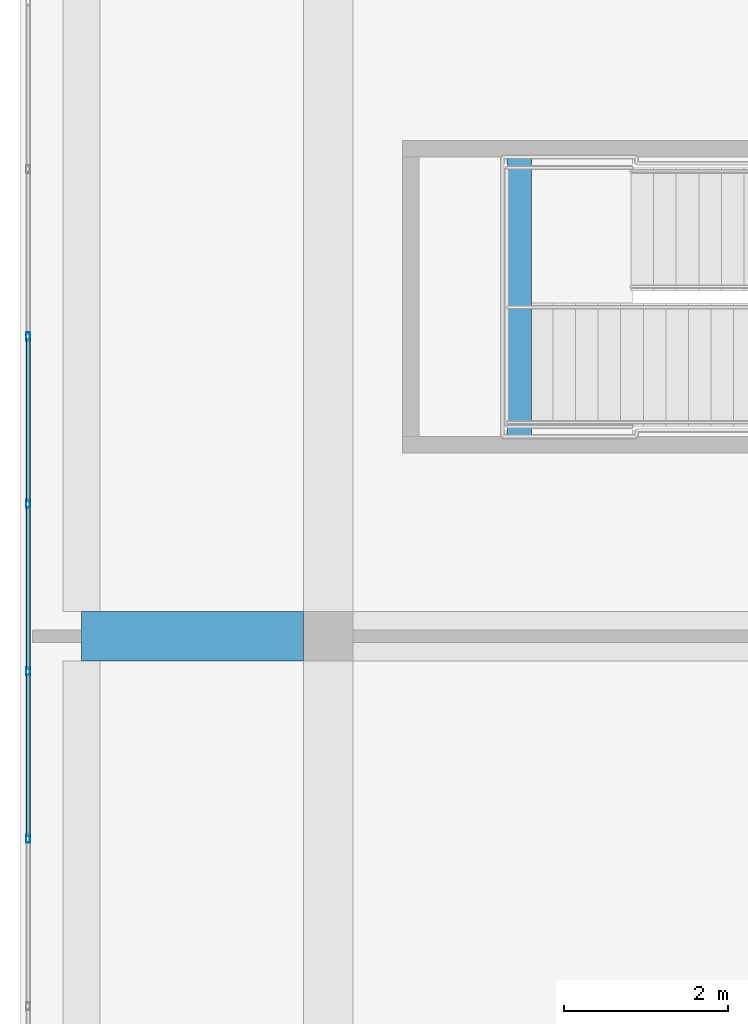
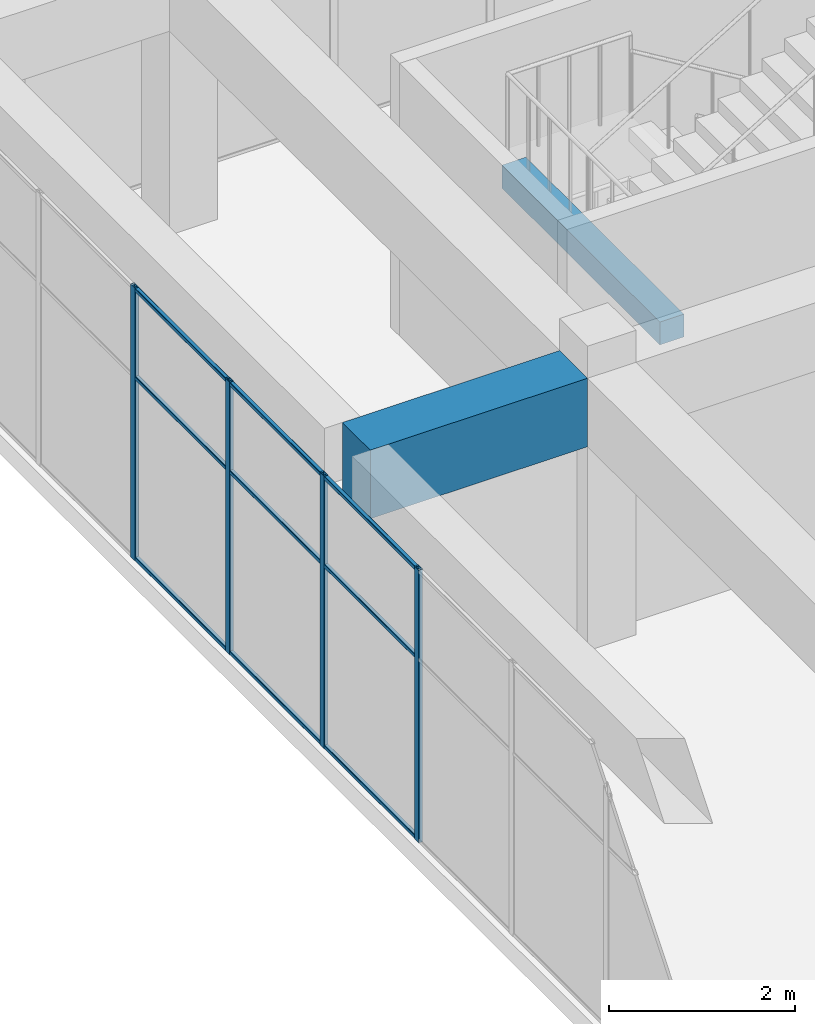
# One storey, part 13 of 35: 13 members, 2 beams, 1 element without a shape of its own.
"""IFC4 building model written with IfcOpenShell, lengths in metres."""

from ifc_helpers import new_model, si_unit, direction, frame, origin, origin_2d, place, context, subcontext, project, spatial, rectangle, hollow_rectangle, extrude, material, layer, layer_set, material_profile, profile_set, type_object, element, aggregate, save


model = new_model("IFC4")

# Units and contexts
model_context = context("Model", 3, precision=1e-05, world=origin(), true_north=direction((0.0, 1.0)))
body_context = subcontext(model_context, "Body", "Model", "MODEL_VIEW")
ifc_project = project(units=[si_unit("LENGTHUNIT", "METRE"), si_unit("AREAUNIT", "SQUARE_METRE"), si_unit("VOLUMEUNIT", "CUBIC_METRE"), si_unit("PLANEANGLEUNIT", "RADIAN"), si_unit("MASSUNIT", "GRAM", prefix="KILO")], contexts=[model_context])

# Site, building, storey
site_placement = place(None, origin())
site = spatial("IfcSite", under=ifc_project, at=site_placement, CompositionType="ELEMENT")
building_placement = place(site_placement, origin())
building = spatial("IfcBuilding", under=site, at=building_placement, Name="Tuart Plaza Theatre", CompositionType="ELEMENT")
storey_placement = place(building_placement, frame((0.0, 0.0, 49.5)))
storey = spatial("IfcBuildingStorey", under=building, at=storey_placement, Name="L12", CompositionType="ELEMENT", Elevation=49.5)

# Beams
ifc_material_1 = material(Name="Concrete N40 (40 MPa)", Category="concrete")
ifc_material_profile_1 = material_profile(ifc_material_1, rectangle(XDim=0.300048828125, YDim=0.300048828125, at=origin_2d()), Name="BEAM 300x300 Concrete N40 (40 MPa)")
ifc_profile_set_1 = profile_set([ifc_material_profile_1], Name="Concrete N40 (40 MPa)")
beam_type_1 = type_object("IfcBeamType", Name="BEAM 300x300 Concrete N40 (40 MPa)", PredefinedType="BEAM", material=ifc_profile_set_1)
beam_1_placement = place(storey_placement, frame((116.320068359375, 88.824951171875, 1.64990234375), z_axis=(0.0, -1.0, 0.0), x_axis=(1.0, 0.0, 0.0)))
element("IfcBeam", 1, at=beam_1_placement, inside=storey, type_object=beam_type_1, Name="RB540", PredefinedType="BEAM", context=body_context, shape_type="SweptSolid", body=[
    extrude(rectangle(XDim=0.300048828125, YDim=0.300048828125, at=origin_2d()), origin(), (0.0, 0.0, 1.0), 3.39990234375),
])
ifc_material_2 = material(Name="Concrete N40 (40 MPa)", Category="concrete")
ifc_material_profile_2 = material_profile(ifc_material_2, rectangle(XDim=0.60009765625, YDim=0.89990234375, at=origin_2d()), Name="BEAM 600x900 Concrete N40 (40 MPa)")
ifc_profile_set_2 = profile_set([ifc_material_profile_2], Name="Concrete N40 (40 MPa)")
beam_type_2 = type_object("IfcBeamType", Name="BEAM 600x900 Concrete N40 (40 MPa)", PredefinedType="BEAM", material=ifc_profile_set_2)
beam_2_placement = place(storey_placement, frame((111.0, 83.0, 3.1298828125), z_axis=(1.0, 0.0, 0.0), x_axis=(0.0, 1.0, 0.0)))
element("IfcBeam", 2, at=beam_2_placement, inside=storey, type_object=beam_type_2, Name="RB287", PredefinedType="BEAM", context=body_context, shape_type="SweptSolid", body=[
    extrude(rectangle(XDim=0.60009765625, YDim=0.89990234375, at=origin_2d()), origin(), (0.0, 0.0, 1.0), 2.699951171875),
])

# Curtain wall, members
ifc_material_3 = material(Name="Aluminium and glass", Category="aluminium")
ifc_layer = layer(ifc_material_3, 0.10009765625)
ifc_layer_set = layer_set([ifc_layer], Name="CURTAIN WALL 2000 module")
curtain_wall_type = type_object("IfcCurtainWallType", Name="CURTAIN WALL 2000 module", PredefinedType="NOTDEFINED", material=ifc_layer_set)
curtain_wall_placement = place(storey_placement, origin())
curtain_wall = element("IfcCurtainWall", 3, at=curtain_wall_placement, inside=storey, type_object=curtain_wall_type, Name="CW106", PredefinedType="NOTDEFINED")
ifc_material_4 = material(Name="Aluminium 6063-T5", Category="aluminium")
ifc_material_profile_3 = material_profile(ifc_material_4, hollow_rectangle(XDim=0.050048828125, YDim=0.10009765625, WallThickness=0.00390625, InnerFilletRadius=0.00390625, OuterFilletRadius=0.008056640625, at=origin_2d()), Name="RHS 100x50x4")
ifc_profile_set_3 = profile_set([ifc_material_profile_3], Name="Aluminium 6063-T5")
member_type_1 = type_object("IfcMemberType", Name="MULLION RHS 100x50x4", PredefinedType="MULLION", material=ifc_profile_set_3)
member_1_placement = place(storey_placement, frame((110.35009765625, 86.642822265625, 0.0), z_axis=(0.0, 0.0, 1.0), x_axis=(1.0, 0.0, 0.0)))
member_1 = element("IfcMember", 4, at=member_1_placement, type_object=member_type_1, Name="CW106 mullion 4", PredefinedType="MULLION", context=body_context, shape_type="SweptSolid", body=[
    extrude(hollow_rectangle(XDim=0.050048828125, YDim=0.10009765625, WallThickness=0.00390625, InnerFilletRadius=0.00390625, OuterFilletRadius=0.008056640625, at=origin_2d()), origin(), (0.0, 0.0, 1.0), 3.580078125),
])
member_2_placement = place(storey_placement, frame((110.35009765625, 84.607177734375, 0.0), z_axis=(0.0, 0.0, 1.0), x_axis=(1.0, 0.0, 0.0)))
member_2 = element("IfcMember", 5, at=member_2_placement, type_object=member_type_1, Name="CW106 mullion 5", PredefinedType="MULLION", context=body_context, shape_type="SweptSolid", body=[
    extrude(hollow_rectangle(XDim=0.050048828125, YDim=0.10009765625, WallThickness=0.00390625, InnerFilletRadius=0.00390625, OuterFilletRadius=0.008056640625, at=origin_2d()), origin(), (0.0, 0.0, 1.0), 3.580078125),
])
member_3_placement = place(storey_placement, frame((110.35009765625, 82.571533203125, 0.0), z_axis=(0.0, 0.0, 1.0), x_axis=(1.0, 0.0, 0.0)))
member_3 = element("IfcMember", 6, at=member_3_placement, type_object=member_type_1, Name="CW106 mullion 6", PredefinedType="MULLION", context=body_context, shape_type="SweptSolid", body=[
    extrude(hollow_rectangle(XDim=0.050048828125, YDim=0.10009765625, WallThickness=0.00390625, InnerFilletRadius=0.00390625, OuterFilletRadius=0.008056640625, at=origin_2d()), origin(), (0.0, 0.0, 1.0), 3.580078125),
])
member_4_placement = place(storey_placement, frame((110.35009765625, 80.53564453125, 0.0), z_axis=(0.0, 0.0, 1.0), x_axis=(1.0, 0.0, 0.0)))
member_4 = element("IfcMember", 7, at=member_4_placement, type_object=member_type_1, Name="CW106 mullion 7", PredefinedType="MULLION", context=body_context, shape_type="SweptSolid", body=[
    extrude(hollow_rectangle(XDim=0.050048828125, YDim=0.10009765625, WallThickness=0.00390625, InnerFilletRadius=0.00390625, OuterFilletRadius=0.008056640625, at=origin_2d()), origin(), (0.0, 0.0, 1.0), 3.580078125),
])
ifc_material_5 = material(Name="Aluminium 6063-T5", Category="aluminium")
ifc_material_profile_4 = material_profile(ifc_material_5, hollow_rectangle(XDim=0.050048828125, YDim=0.050048828125, WallThickness=0.00390625, InnerFilletRadius=0.00390625, OuterFilletRadius=0.008056640625, at=origin_2d()), Name="RHS 50x50x4")
ifc_profile_set_4 = profile_set([ifc_material_profile_4], Name="Aluminium 6063-T5")
member_type_2 = type_object("IfcMemberType", Name="TRANSOM RHS 50x50x4", PredefinedType="USERDEFINED", material=ifc_profile_set_4)
member_5_placement = place(storey_placement, frame((110.35009765625, 86.617919921875, 0.02490234375), z_axis=(0.0, -1.0, 0.0), x_axis=(1.0, 0.0, 0.0)))
member_5 = element("IfcMember", 8, at=member_5_placement, type_object=member_type_2, Name="CW106 transom 4.1", ObjectType="TRANSOM", PredefinedType="USERDEFINED", context=body_context, shape_type="SweptSolid", body=[
    extrude(hollow_rectangle(XDim=0.050048828125, YDim=0.050048828125, WallThickness=0.00390625, InnerFilletRadius=0.00390625, OuterFilletRadius=0.008056640625, at=origin_2d()), origin(), (0.0, 0.0, 1.0), 1.98583984375),
])
member_6_placement = place(storey_placement, frame((110.35009765625, 86.617919921875, 2.39990234375), z_axis=(0.0, -1.0, 0.0), x_axis=(1.0, 0.0, 0.0)))
member_6 = element("IfcMember", 9, at=member_6_placement, type_object=member_type_2, Name="CW106 transom 4.2", ObjectType="TRANSOM", PredefinedType="USERDEFINED", context=body_context, shape_type="SweptSolid", body=[
    extrude(hollow_rectangle(XDim=0.050048828125, YDim=0.050048828125, WallThickness=0.00390625, InnerFilletRadius=0.00390625, OuterFilletRadius=0.008056640625, at=origin_2d()), origin(), (0.0, 0.0, 1.0), 1.98583984375),
])
member_7_placement = place(storey_placement, frame((110.35009765625, 86.617919921875, 3.554931640625), z_axis=(0.0, -1.0, 0.0), x_axis=(1.0, 0.0, 0.0)))
member_7 = element("IfcMember", 10, at=member_7_placement, type_object=member_type_2, Name="CW106 transom 4.3", ObjectType="TRANSOM", PredefinedType="USERDEFINED", context=body_context, shape_type="SweptSolid", body=[
    extrude(hollow_rectangle(XDim=0.050048828125, YDim=0.050048828125, WallThickness=0.00390625, InnerFilletRadius=0.00390625, OuterFilletRadius=0.008056640625, at=origin_2d()), origin(), (0.0, 0.0, 1.0), 1.98583984375),
])
member_8_placement = place(storey_placement, frame((110.35009765625, 84.58203125, 0.02490234375), z_axis=(0.0, -1.0, 0.0), x_axis=(1.0, 0.0, 0.0)))
member_8 = element("IfcMember", 11, at=member_8_placement, type_object=member_type_2, Name="CW106 transom 5.1", ObjectType="TRANSOM", PredefinedType="USERDEFINED", context=body_context, shape_type="SweptSolid", body=[
    extrude(hollow_rectangle(XDim=0.050048828125, YDim=0.050048828125, WallThickness=0.00390625, InnerFilletRadius=0.00390625, OuterFilletRadius=0.008056640625, at=origin_2d()), origin(), (0.0, 0.0, 1.0), 1.985595703125),
])
member_9_placement = place(storey_placement, frame((110.35009765625, 84.58203125, 2.39990234375), z_axis=(0.0, -1.0, 0.0), x_axis=(1.0, 0.0, 0.0)))
member_9 = element("IfcMember", 12, at=member_9_placement, type_object=member_type_2, Name="CW106 transom 5.2", ObjectType="TRANSOM", PredefinedType="USERDEFINED", context=body_context, shape_type="SweptSolid", body=[
    extrude(hollow_rectangle(XDim=0.050048828125, YDim=0.050048828125, WallThickness=0.00390625, InnerFilletRadius=0.00390625, OuterFilletRadius=0.008056640625, at=origin_2d()), origin(), (0.0, 0.0, 1.0), 1.985595703125),
])
member_10_placement = place(storey_placement, frame((110.35009765625, 84.58203125, 3.554931640625), z_axis=(0.0, -1.0, 0.0), x_axis=(1.0, 0.0, 0.0)))
member_10 = element("IfcMember", 13, at=member_10_placement, type_object=member_type_2, Name="CW106 transom 5.3", ObjectType="TRANSOM", PredefinedType="USERDEFINED", context=body_context, shape_type="SweptSolid", body=[
    extrude(hollow_rectangle(XDim=0.050048828125, YDim=0.050048828125, WallThickness=0.00390625, InnerFilletRadius=0.00390625, OuterFilletRadius=0.008056640625, at=origin_2d()), origin(), (0.0, 0.0, 1.0), 1.985595703125),
])
member_11_placement = place(storey_placement, frame((110.35009765625, 82.54638671875, 0.02490234375), z_axis=(0.0, -1.0, 0.0), x_axis=(1.0, 0.0, 0.0)))
member_11 = element("IfcMember", 14, at=member_11_placement, type_object=member_type_2, Name="CW106 transom 6.1", ObjectType="TRANSOM", PredefinedType="USERDEFINED", context=body_context, shape_type="SweptSolid", body=[
    extrude(hollow_rectangle(XDim=0.050048828125, YDim=0.050048828125, WallThickness=0.00390625, InnerFilletRadius=0.00390625, OuterFilletRadius=0.008056640625, at=origin_2d()), origin(), (0.0, 0.0, 1.0), 1.985595703125),
])
member_12_placement = place(storey_placement, frame((110.35009765625, 82.54638671875, 2.39990234375), z_axis=(0.0, -1.0, 0.0), x_axis=(1.0, 0.0, 0.0)))
member_12 = element("IfcMember", 15, at=member_12_placement, type_object=member_type_2, Name="CW106 transom 6.2", ObjectType="TRANSOM", PredefinedType="USERDEFINED", context=body_context, shape_type="SweptSolid", body=[
    extrude(hollow_rectangle(XDim=0.050048828125, YDim=0.050048828125, WallThickness=0.00390625, InnerFilletRadius=0.00390625, OuterFilletRadius=0.008056640625, at=origin_2d()), origin(), (0.0, 0.0, 1.0), 1.985595703125),
])
member_13_placement = place(storey_placement, frame((110.35009765625, 82.54638671875, 3.554931640625), z_axis=(0.0, -1.0, 0.0), x_axis=(1.0, 0.0, 0.0)))
member_13 = element("IfcMember", 16, at=member_13_placement, type_object=member_type_2, Name="CW106 transom 6.3", ObjectType="TRANSOM", PredefinedType="USERDEFINED", context=body_context, shape_type="SweptSolid", body=[
    extrude(hollow_rectangle(XDim=0.050048828125, YDim=0.050048828125, WallThickness=0.00390625, InnerFilletRadius=0.00390625, OuterFilletRadius=0.008056640625, at=origin_2d()), origin(), (0.0, 0.0, 1.0), 1.985595703125),
])
aggregate(curtain_wall, [member_1, member_2, member_3, member_4, member_5, member_6, member_7, member_8, member_9, member_10, member_11, member_12, member_13])

save(model, "model.ifc")
